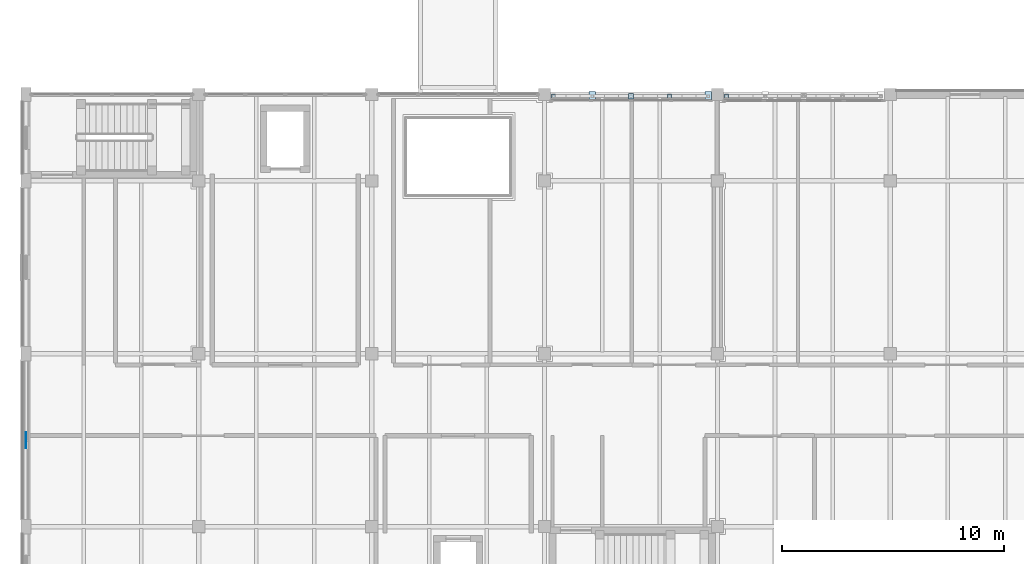
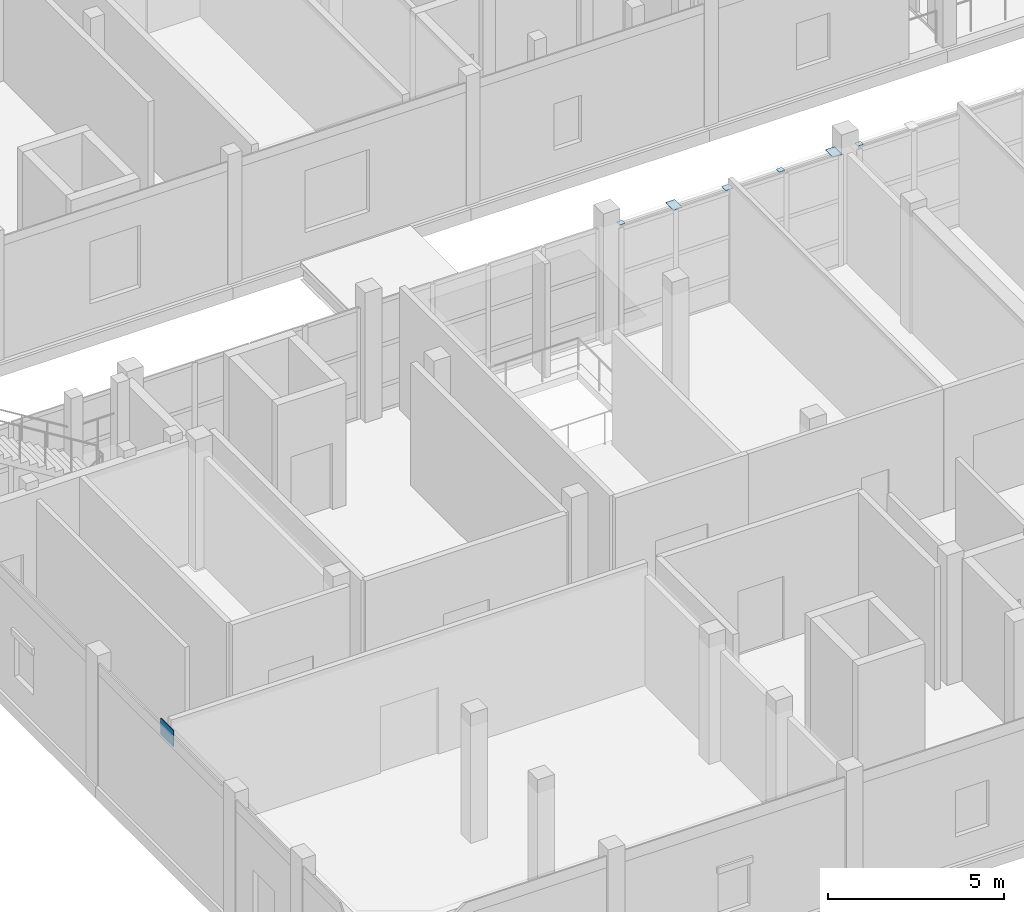
# One storey, part 76 of 119: 7 plates.
"""IFC4 building model written with IfcOpenShell, lengths in metres."""

from ifc_helpers import new_model, si_unit, direction, frame, origin, origin_2d, place, context, subcontext, project, spatial, rectangle, extrude, material, layer, layer_set, type_object, element, save


model = new_model("IFC4")

# Units and contexts
model_context = context("Model", 3, precision=1e-05, world=origin(), true_north=direction((0.0, 1.0)))
body_context = subcontext(model_context, "Body", "Model", "MODEL_VIEW")
ifc_project = project(units=[si_unit("LENGTHUNIT", "METRE"), si_unit("AREAUNIT", "SQUARE_METRE"), si_unit("VOLUMEUNIT", "CUBIC_METRE"), si_unit("PLANEANGLEUNIT", "RADIAN"), si_unit("MASSUNIT", "GRAM", prefix="KILO")], contexts=[model_context])

# Site, building, storey
site_placement = place(None, origin())
site = spatial("IfcSite", under=ifc_project, at=site_placement, CompositionType="ELEMENT")
building_placement = place(site_placement, origin())
building = spatial("IfcBuilding", under=site, at=building_placement, Name="Celorna Specialist Clinic", CompositionType="ELEMENT")
storey_placement = place(building_placement, frame((0.0, 0.0, 9.60009765625)))
storey = spatial("IfcBuildingStorey", under=building, at=storey_placement, Name="L02", CompositionType="ELEMENT", Elevation=9.60009765625)

# Plates
ifc_material = material(Name="Steel S355", Category="steel")
ifc_layer_1 = layer(ifc_material, 0.011962890625, Name="Steel S355")
ifc_layer_set_1 = layer_set([ifc_layer_1], Name="Steel S355")
plate_type_1 = type_object("IfcPlateType", Name="EP-06", PredefinedType="SHEET", material=ifc_layer_set_1)
for number, where, z_axis, x_axis, name in (
    (1, (23.81494140625, 27.219970703125, 3.83984375), (0.0, 0.0, 1.0), (1.0, 0.0, 0.0), "Screen post cap plate EP-06 #1773"),
    (2, (29.04248046875, 27.219970703125, 3.83984375), (0.0, 0.0, 1.0), (1.0, 0.0, 0.0), "Screen post cap plate EP-06 #1776"),
    (3, (31.614990234375, 27.219970703125, 3.83984375), (0.0, 0.0, 1.0), (1.0, 0.0, 0.0), "Screen post cap plate EP-06 #1794"),
):
    element("IfcPlate", number, at=place(storey_placement, frame(where, z_axis=z_axis, x_axis=x_axis)), inside=storey, type_object=plate_type_1, Name=name, PredefinedType="SHEET", context=body_context, shape_type="SweptSolid", body=[
        extrude(rectangle(XDim=0.179931640625, YDim=0.179931640625, at=origin_2d()), origin(), (0.0, 0.0, 1.0), 0.011962890625),
    ])
ifc_layer_2 = layer(ifc_material, 0.01611328125, Name="Steel S355")
ifc_layer_set_2 = layer_set([ifc_layer_2], Name="Steel S355")
plate_type_2 = type_object("IfcPlateType", Name="EP-07", PredefinedType="SHEET", material=ifc_layer_set_2)
for number, where, z_axis, x_axis, name in (
    (4, (25.5576171875, 27.219970703125, 3.83984375), (0.0, 0.0, 1.0), (1.0, 0.0, 0.0), "Screen post cap plate EP-07 #1774"),
    (5, (30.784912109375, 27.219970703125, 3.83984375), (0.0, 0.0, 1.0), (1.0, 0.0, 0.0), "Screen post cap plate EP-07 #1777"),
):
    element("IfcPlate", number, at=place(storey_placement, frame(where, z_axis=z_axis, x_axis=x_axis)), inside=storey, type_object=plate_type_2, Name=name, PredefinedType="SHEET", context=body_context, shape_type="SweptSolid", body=[
        extrude(rectangle(XDim=0.300048828125, YDim=0.43994140625, at=origin_2d()), origin(), (0.0, 0.0, 1.0), 0.01611328125),
    ])
ifc_layer_3 = layer(ifc_material, 0.013916015625, Name="Steel S355")
ifc_layer_set_3 = layer_set([ifc_layer_3], Name="Steel S355")
plate_type_3 = type_object("IfcPlateType", Name="EP-08", PredefinedType="SHEET", material=ifc_layer_set_3)
plate_1_placement = place(storey_placement, frame((27.300048828125, 27.219970703125, 3.83984375), z_axis=(0.0, 0.0, 1.0), x_axis=(1.0, 0.0, 0.0)))
element("IfcPlate", 6, at=plate_1_placement, inside=storey, type_object=plate_type_3, Name="Screen post cap plate EP-08 #1775", PredefinedType="SHEET", context=body_context, shape_type="SweptSolid", body=[
    extrude(rectangle(XDim=0.239990234375, YDim=0.239990234375, at=origin_2d()), origin(), (0.0, 0.0, 1.0), 0.013916015625),
])
ifc_layer_4 = layer(ifc_material, 0.02490234375, Name="Steel S355")
ifc_layer_set_4 = layer_set([ifc_layer_4], Name="Steel S355")
plate_type_4 = type_object("IfcPlateType", Name="GP-02", PredefinedType="USERDEFINED", material=ifc_layer_set_4)
plate_2_placement = place(storey_placement, frame((0.0, 11.699951171875, 3.669921875), z_axis=(0.0, 0.0, 1.0), x_axis=(0.0, 1.0, 0.0)))
element("IfcPlate", 7, at=plate_2_placement, inside=storey, type_object=plate_type_4, Name="Chevron apex gusset plate GP-02 #77", ObjectType="GUSSET PLATE", PredefinedType="USERDEFINED", context=body_context, shape_type="SweptSolid", body=[
    extrude(rectangle(XDim=0.719970703125, YDim=0.02490234375, at=origin_2d()), origin(), (0.0, 0.0, 1.0), 0.56005859375),
])

save(model, "model.ifc")
